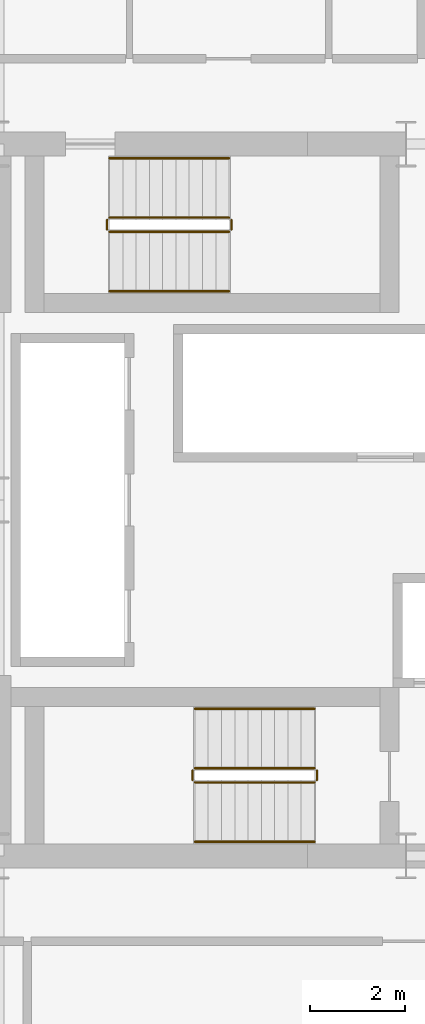
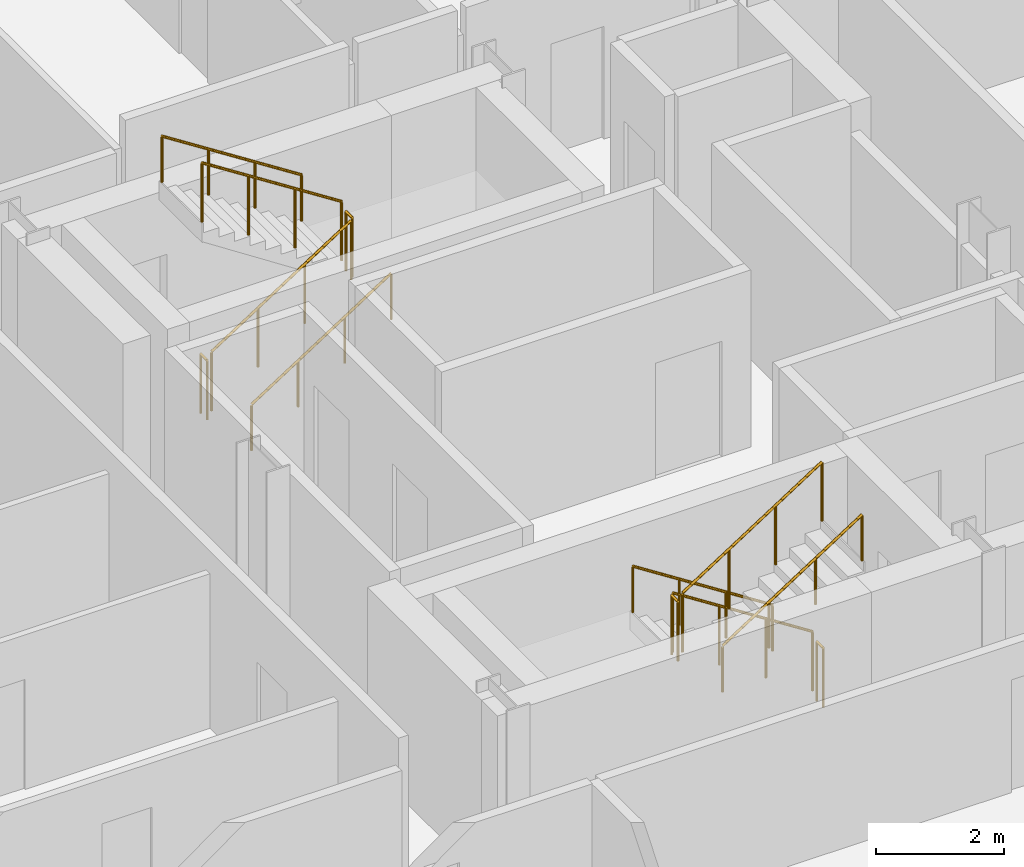
# One storey, part 22 of 23: 12 railings.
"""IFC4 building model written with IfcOpenShell, lengths in metres."""

from ifc_helpers import new_model, si_unit, direction, frame, origin, origin_2d, place, context, subcontext, project, spatial, circle, extrude, material, type_object, element, save


model = new_model("IFC4")

# Units and contexts
model_context = context("Model", 3, precision=1e-05, world=origin(), true_north=direction((0.0, 1.0)))
body_context = subcontext(model_context, "Body", "Model", "MODEL_VIEW")
ifc_project = project(units=[si_unit("LENGTHUNIT", "METRE"), si_unit("AREAUNIT", "SQUARE_METRE"), si_unit("VOLUMEUNIT", "CUBIC_METRE"), si_unit("PLANEANGLEUNIT", "RADIAN"), si_unit("MASSUNIT", "GRAM", prefix="KILO")], contexts=[model_context])

# Site, building, storey
site_placement = place(None, origin())
site = spatial("IfcSite", under=ifc_project, at=site_placement, CompositionType="ELEMENT")
building_placement = place(site_placement, origin())
building = spatial("IfcBuilding", under=site, at=building_placement, Name="Barlavira Tower and Art Museum", CompositionType="ELEMENT")
storey_placement = place(building_placement, frame((0.0, 0.0, 57.60009765625)))
storey = spatial("IfcBuildingStorey", under=building, at=storey_placement, Name="L13", CompositionType="ELEMENT", Elevation=57.60009765625)

# Railings
ifc_material = material(Name="Brushed stainless steel", Category="steel")
railing_type_1 = type_object("IfcRailingType", Name="Interior Void and Landing Guard Railing 1150", PredefinedType="GUARDRAIL", material=ifc_material)
railing_1_placement = place(storey_placement, frame((0.14990234375, -5.64990234375, 0.179931640625)))
element("IfcRailing", 1, at=railing_1_placement, inside=storey, type_object=railing_type_1, Name="L13 ST-T1 stair guard 1", PredefinedType="GUARDRAIL", context=body_context, shape_type="SweptSolid", body=[
    extrude(circle(Radius=0.02392578125, at=origin_2d()), frame((0.0, 0.0, 1.1259765625), z_axis=(-0.841199657755, 0.0, 0.540724639528), x_axis=(0.0, -1.0, 0.0)), (0.0, 0.0, 1.0), 2.995849609375),
    extrude(circle(Radius=0.02099609375, at=origin_2d()), origin(), (0.0, 0.0, 1.0), 1.101806640625),
    extrude(circle(Radius=0.02099609375, at=origin_2d()), frame((-0.840087890625, 0.0, 0.5400390625)), (0.0, 0.0, 1.0), 1.101806640625),
    extrude(circle(Radius=0.02099609375, at=origin_2d()), frame((-1.679931640625, 0.0, 1.079833984375)), (0.0, 0.0, 1.0), 1.101806640625),
    extrude(circle(Radius=0.02099609375, at=origin_2d()), frame((-2.52001953125, 0.0, 1.619873046875)), (0.0, 0.0, 1.0), 1.101806640625),
])
railing_2_placement = place(storey_placement, frame((-2.419921875, -5.699951171875, 1.7998046875)))
element("IfcRailing", 2, at=railing_2_placement, inside=storey, type_object=railing_type_1, Name="L13 ST-T1 stair guard 2", PredefinedType="GUARDRAIL", context=body_context, shape_type="SweptSolid", body=[
    extrude(circle(Radius=0.02392578125, at=origin_2d()), frame((0.0, 0.0, 1.1259765625), z_axis=(0.0, -1.0, 0.0), x_axis=(1.0, 0.0, 0.0)), (0.0, 0.0, 1.0), 0.199951171875),
    extrude(circle(Radius=0.02099609375, at=origin_2d()), origin(), (0.0, 0.0, 1.0), 1.101806640625),
    extrude(circle(Radius=0.02099609375, at=origin_2d()), frame((0.0, -0.199951171875, 0.0)), (0.0, 0.0, 1.0), 1.101806640625),
])
railing_3_placement = place(storey_placement, frame((-2.3701171875, -5.949951171875, 1.97998046875)))
element("IfcRailing", 3, at=railing_3_placement, inside=storey, type_object=railing_type_1, Name="L13 ST-T1 stair guard 3", PredefinedType="GUARDRAIL", context=body_context, shape_type="SweptSolid", body=[
    extrude(circle(Radius=0.02392578125, at=origin_2d()), frame((0.0, 0.0, 1.1259765625), z_axis=(0.841199657755, 0.0, 0.540724639528), x_axis=(0.0, 1.0, 0.0)), (0.0, 0.0, 1.0), 2.995849609375),
    extrude(circle(Radius=0.02099609375, at=origin_2d()), origin(), (0.0, 0.0, 1.0), 1.101806640625),
    extrude(circle(Radius=0.02099609375, at=origin_2d()), frame((0.840087890625, 0.0, 0.5400390625)), (0.0, 0.0, 1.0), 1.101806640625),
    extrude(circle(Radius=0.02099609375, at=origin_2d()), frame((1.679931640625, 0.0, 1.079833984375)), (0.0, 0.0, 1.0), 1.101806640625),
    extrude(circle(Radius=0.02099609375, at=origin_2d()), frame((2.52001953125, 0.0, 1.619873046875)), (0.0, 0.0, 1.0), 1.101806640625),
])
railing_4_placement = place(storey_placement, frame((0.199951171875, -5.699951171875, 0.0)))
element("IfcRailing", 4, at=railing_4_placement, inside=storey, type_object=railing_type_1, Name="L13 ST-T1 stair guard 4", PredefinedType="GUARDRAIL", context=body_context, shape_type="SweptSolid", body=[
    extrude(circle(Radius=0.02392578125, at=origin_2d()), frame((0.0, 0.0, 1.1259765625), z_axis=(0.0, -1.0, 0.0), x_axis=(1.0, 0.0, 0.0)), (0.0, 0.0, 1.0), 0.199951171875),
    extrude(circle(Radius=0.02099609375, at=origin_2d()), origin(), (0.0, 0.0, 1.0), 1.101806640625),
    extrude(circle(Radius=0.02099609375, at=origin_2d()), frame((0.0, -0.199951171875, 0.0)), (0.0, 0.0, 1.0), 1.101806640625),
])
railing_5_placement = place(storey_placement, frame((-4.169921875, 5.64990234375, 0.179931640625)))
element("IfcRailing", 5, at=railing_5_placement, inside=storey, type_object=railing_type_1, Name="L13 ST-T2 stair guard 1", PredefinedType="GUARDRAIL", context=body_context, shape_type="SweptSolid", body=[
    extrude(circle(Radius=0.02392578125, at=origin_2d()), frame((0.0, 0.0, 1.1259765625), z_axis=(0.841199657755, 0.0, 0.540724639528), x_axis=(0.0, 1.0, 0.0)), (0.0, 0.0, 1.0), 2.995849609375),
    extrude(circle(Radius=0.02099609375, at=origin_2d()), origin(), (0.0, 0.0, 1.0), 1.101806640625),
    extrude(circle(Radius=0.02099609375, at=origin_2d()), frame((0.840087890625, 0.0, 0.5400390625)), (0.0, 0.0, 1.0), 1.101806640625),
    extrude(circle(Radius=0.02099609375, at=origin_2d()), frame((1.679931640625, 0.0, 1.079833984375)), (0.0, 0.0, 1.0), 1.101806640625),
    extrude(circle(Radius=0.02099609375, at=origin_2d()), frame((2.52001953125, 0.0, 1.619873046875)), (0.0, 0.0, 1.0), 1.101806640625),
])
railing_6_placement = place(storey_placement, frame((-1.60009765625, 5.699951171875, 1.7998046875)))
element("IfcRailing", 6, at=railing_6_placement, inside=storey, type_object=railing_type_1, Name="L13 ST-T2 stair guard 2", PredefinedType="GUARDRAIL", context=body_context, shape_type="SweptSolid", body=[
    extrude(circle(Radius=0.02392578125, at=origin_2d()), frame((0.0, 0.0, 1.1259765625), z_axis=(0.0, 1.0, 0.0), x_axis=(-1.0, 0.0, 0.0)), (0.0, 0.0, 1.0), 0.199951171875),
    extrude(circle(Radius=0.02099609375, at=origin_2d()), origin(), (0.0, 0.0, 1.0), 1.101806640625),
    extrude(circle(Radius=0.02099609375, at=origin_2d()), frame((0.0, 0.199951171875, 0.0)), (0.0, 0.0, 1.0), 1.101806640625),
])
railing_7_placement = place(storey_placement, frame((-1.64990234375, 5.949951171875, 1.97998046875)))
element("IfcRailing", 7, at=railing_7_placement, inside=storey, type_object=railing_type_1, Name="L13 ST-T2 stair guard 3", PredefinedType="GUARDRAIL", context=body_context, shape_type="SweptSolid", body=[
    extrude(circle(Radius=0.02392578125, at=origin_2d()), frame((0.0, 0.0, 1.1259765625), z_axis=(-0.841199657755, 0.0, 0.540724639528), x_axis=(0.0, -1.0, 0.0)), (0.0, 0.0, 1.0), 2.995849609375),
    extrude(circle(Radius=0.02099609375, at=origin_2d()), origin(), (0.0, 0.0, 1.0), 1.101806640625),
    extrude(circle(Radius=0.02099609375, at=origin_2d()), frame((-0.840087890625, 0.0, 0.5400390625)), (0.0, 0.0, 1.0), 1.101806640625),
    extrude(circle(Radius=0.02099609375, at=origin_2d()), frame((-1.679931640625, 0.0, 1.079833984375)), (0.0, 0.0, 1.0), 1.101806640625),
    extrude(circle(Radius=0.02099609375, at=origin_2d()), frame((-2.52001953125, 0.0, 1.619873046875)), (0.0, 0.0, 1.0), 1.101806640625),
])
railing_8_placement = place(storey_placement, frame((-4.219970703125, 5.699951171875, 0.0)))
element("IfcRailing", 8, at=railing_8_placement, inside=storey, type_object=railing_type_1, Name="L13 ST-T2 stair guard 4", PredefinedType="GUARDRAIL", context=body_context, shape_type="SweptSolid", body=[
    extrude(circle(Radius=0.02392578125, at=origin_2d()), frame((0.0, 0.0, 1.1259765625), z_axis=(0.0, 1.0, 0.0), x_axis=(-1.0, 0.0, 0.0)), (0.0, 0.0, 1.0), 0.199951171875),
    extrude(circle(Radius=0.02099609375, at=origin_2d()), origin(), (0.0, 0.0, 1.0), 1.101806640625),
    extrude(circle(Radius=0.02099609375, at=origin_2d()), frame((0.0, 0.199951171875, 0.0)), (0.0, 0.0, 1.0), 1.101806640625),
])
railing_type_2 = type_object("IfcRailingType", Name="Stair Pitch Tubular Steel Handrail 920", PredefinedType="HANDRAIL", material=ifc_material)
railing_9_placement = place(storey_placement, frame((0.14990234375, -4.39990234375, 0.179931640625)))
element("IfcRailing", 9, at=railing_9_placement, inside=storey, type_object=railing_type_2, Name="L13 ST-T1 stair handrail 1", PredefinedType="HANDRAIL", context=body_context, shape_type="SweptSolid", body=[
    extrude(circle(Radius=0.02392578125, at=origin_2d()), frame((0.0, 0.0, 0.8759765625), z_axis=(-0.841199657755, 0.0, 0.540724639528), x_axis=(0.0, -1.0, 0.0)), (0.0, 0.0, 1.0), 2.995849609375),
    extrude(circle(Radius=0.02099609375, at=origin_2d()), origin(), (0.0, 0.0, 1.0), 0.851806640625),
    extrude(circle(Radius=0.02099609375, at=origin_2d()), frame((-0.840087890625, 0.0, 0.5400390625)), (0.0, 0.0, 1.0), 0.851806640625),
    extrude(circle(Radius=0.02099609375, at=origin_2d()), frame((-1.679931640625, 0.0, 1.079833984375)), (0.0, 0.0, 1.0), 0.851806640625),
    extrude(circle(Radius=0.02099609375, at=origin_2d()), frame((-2.52001953125, 0.0, 1.619873046875)), (0.0, 0.0, 1.0), 0.851806640625),
])
for number, where, name in (
    (10, (-2.3701171875, -7.199951171875, 1.97998046875), "L13 ST-T1 stair handrail 2"),
    (11, (-4.169921875, 4.39990234375, 0.179931640625), "L13 ST-T2 stair handrail 1"),
):
    element("IfcRailing", number, at=place(storey_placement, frame(where)), inside=storey, type_object=railing_type_2, Name=name, PredefinedType="HANDRAIL", context=body_context, shape_type="SweptSolid", body=[
        extrude(circle(Radius=0.02392578125, at=origin_2d()), frame((0.0, 0.0, 0.8759765625), z_axis=(0.841199657755, 0.0, 0.540724639528), x_axis=(0.0, 1.0, 0.0)), (0.0, 0.0, 1.0), 2.995849609375),
        extrude(circle(Radius=0.02099609375, at=origin_2d()), origin(), (0.0, 0.0, 1.0), 0.851806640625),
        extrude(circle(Radius=0.02099609375, at=origin_2d()), frame((0.840087890625, 0.0, 0.5400390625)), (0.0, 0.0, 1.0), 0.851806640625),
        extrude(circle(Radius=0.02099609375, at=origin_2d()), frame((1.679931640625, 0.0, 1.079833984375)), (0.0, 0.0, 1.0), 0.851806640625),
        extrude(circle(Radius=0.02099609375, at=origin_2d()), frame((2.52001953125, 0.0, 1.619873046875)), (0.0, 0.0, 1.0), 0.851806640625),
    ])
railing_10_placement = place(storey_placement, frame((-1.64990234375, 7.199951171875, 1.97998046875)))
element("IfcRailing", 12, at=railing_10_placement, inside=storey, type_object=railing_type_2, Name="L13 ST-T2 stair handrail 2", PredefinedType="HANDRAIL", context=body_context, shape_type="SweptSolid", body=[
    extrude(circle(Radius=0.02392578125, at=origin_2d()), frame((0.0, 0.0, 0.8759765625), z_axis=(-0.841199657755, 0.0, 0.540724639528), x_axis=(0.0, -1.0, 0.0)), (0.0, 0.0, 1.0), 2.995849609375),
    extrude(circle(Radius=0.02099609375, at=origin_2d()), origin(), (0.0, 0.0, 1.0), 0.851806640625),
    extrude(circle(Radius=0.02099609375, at=origin_2d()), frame((-0.840087890625, 0.0, 0.5400390625)), (0.0, 0.0, 1.0), 0.851806640625),
    extrude(circle(Radius=0.02099609375, at=origin_2d()), frame((-1.679931640625, 0.0, 1.079833984375)), (0.0, 0.0, 1.0), 0.851806640625),
    extrude(circle(Radius=0.02099609375, at=origin_2d()), frame((-2.52001953125, 0.0, 1.619873046875)), (0.0, 0.0, 1.0), 0.851806640625),
])

save(model, "model.ifc")
